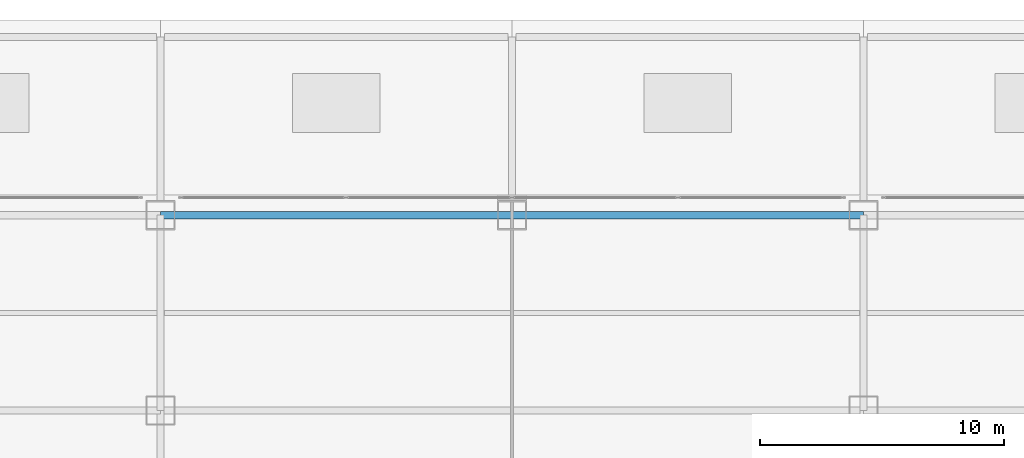
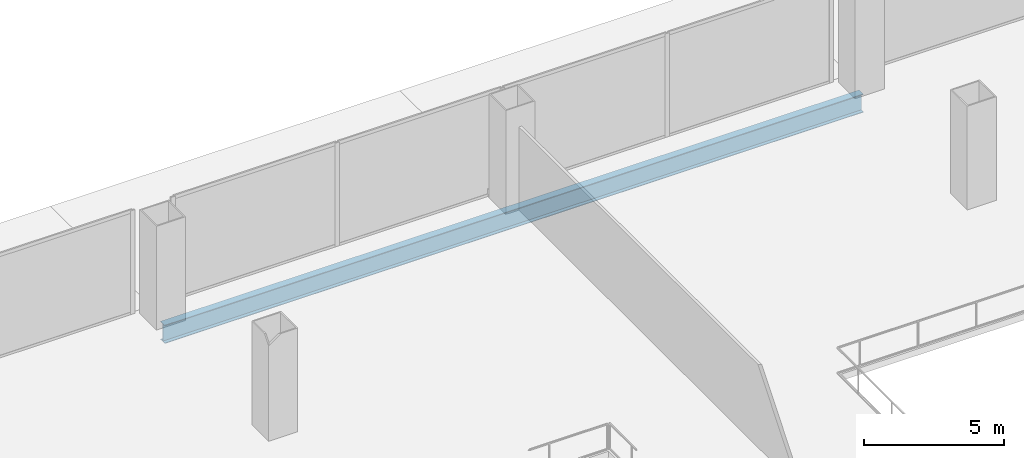
# One storey, part 23 of 42: 1 beam.
"""IFC4 building model written with IfcOpenShell, lengths in metres."""

from ifc_helpers import new_model, si_unit, direction, frame, origin, origin_2d, place, context, subcontext, project, spatial, i_section, extrude, source, transform, mapped, material, material_profile, profile_set, type_object, element, save


model = new_model("IFC4")

# Units and contexts
model_context = context("Model", 3, precision=1e-05, world=origin(), true_north=direction((0.0, 1.0)))
body_context = subcontext(model_context, "Body", "Model", "MODEL_VIEW")
ifc_project = project(units=[si_unit("LENGTHUNIT", "METRE"), si_unit("AREAUNIT", "SQUARE_METRE"), si_unit("VOLUMEUNIT", "CUBIC_METRE"), si_unit("PLANEANGLEUNIT", "RADIAN"), si_unit("MASSUNIT", "GRAM", prefix="KILO"), si_unit("THERMODYNAMICTEMPERATUREUNIT", "KELVIN"), si_unit("POWERUNIT", "WATT")], contexts=[model_context])

# Site, building, storey
site_placement = place(None, origin())
site = spatial("IfcSite", under=ifc_project, at=site_placement, CompositionType="ELEMENT")
building_placement = place(site_placement, origin())
building = spatial("IfcBuilding", under=site, at=building_placement, Name="Yunzhuo Pagoda Commons", CompositionType="ELEMENT")
storey_placement = place(building_placement, frame((0.0, 0.0, 4.800048828125)))
storey = spatial("IfcBuildingStorey", under=building, at=storey_placement, Name="L02", CompositionType="ELEMENT", Elevation=4.800048828125)

# Beam
ifc_material = material(Name="Structural steel Q355B", Category="steel")
ifc_material_profile = material_profile(ifc_material, i_section(OverallWidth=0.300048828125, OverallDepth=0.800048828125, WebThickness=0.013916015625, FlangeThickness=0.02587890625, at=origin_2d()), Name="Structural steel Q355B")
ifc_profile_set = profile_set([ifc_material_profile], Name="Structural steel Q355B")
beam_type = type_object("IfcBeamType", Name="B-PD2 Beam HN 800x300x14x26", PredefinedType="BEAM", material=ifc_profile_set)
shared_shape = source(origin(), body_context, "Body", "SweptSolid", [
    extrude(i_section(OverallWidth=0.300048828125, OverallDepth=0.800048828125, WebThickness=0.013916015625, FlangeThickness=0.02587890625, at=origin_2d()), origin(), (0.0, 0.0, 1.0), 28.7998046875),
])
beam_placement = place(storey_placement, frame((33.60009765625, 89.199951171875, -0.679931640625), z_axis=(1.0, 0.0, 0.0), x_axis=(0.0, 1.0, 0.0)))
element("IfcBeam", 1, at=beam_placement, inside=storey, type_object=beam_type, Name="L02 podium girder EW 6.3", PredefinedType="BEAM", context=body_context, shape_type="MappedRepresentation", body=[
    mapped(shared_shape, transform((0.0, 0.0, 0.0), scale=1.0)),
])

save(model, "model.ifc")
